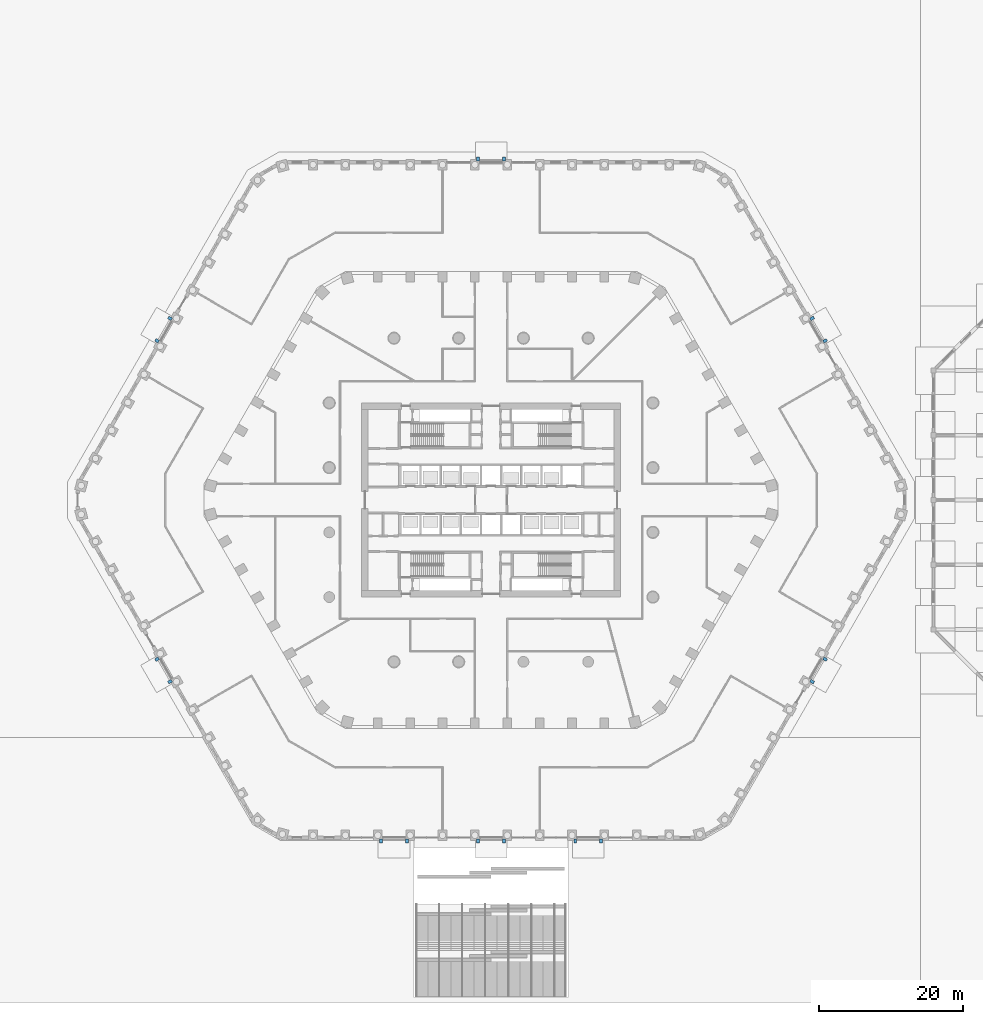
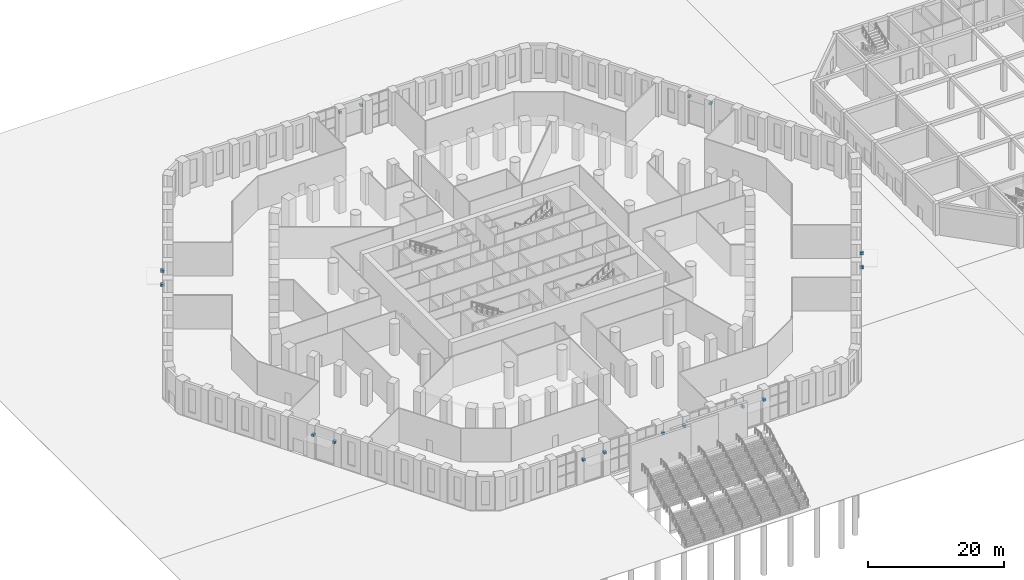
# One storey, part 31 of 44: 16 discrete accessories.
"""IFC4 building model written with IfcOpenShell, lengths in metres."""

import ifcopenshell
import ifcopenshell.guid

model = None  # the IFC model being written
_history = None  # IfcOwnerHistory: only IFC2X3 demands one
_inside = {}  # id of a spatial element -> (the spatial element, [elements in it])
_under = {}  # id of a project, library or spatial element -> (it, [spatial elements below it])
_declared = {}  # id of a project -> (the project, [libraries it declares])
_typed = {}  # id of a type object -> (the type object, [elements of that type])
_made_of = {}  # id of a material, layer set ... -> (it, [elements and type objects made of it])


def new_model(schema):
    """Start an empty IFC model of exactly this schema.

    Asked for "IFC4X3", IfcOpenShell would pick the latest addendum, in which some entities
    have other attributes; the version numbers below select the first issue.
    IFC2X3 requires an IfcOwnerHistory on every rooted entity: one is made here for all.
    """
    global model, _history
    if schema == "IFC4X3":
        model = ifcopenshell.file(schema_version=(4, 3, 0, 0))
    else:
        model = ifcopenshell.file(schema=schema)
    _inside.clear()
    _under.clear()
    _declared.clear()
    _typed.clear()
    _made_of.clear()
    _history = None
    if model.schema == "IFC2X3":
        org = make("IfcOrganization", Name="unknown")
        user = make(
            "IfcPersonAndOrganization",
            ThePerson=make("IfcPerson", FamilyName="unknown"),
            TheOrganization=org,
        )
        app = make(
            "IfcApplication",
            ApplicationDeveloper=org,
            Version="unknown",
            ApplicationFullName="unknown",
            ApplicationIdentifier="unknown",
        )
        _history = make(
            "IfcOwnerHistory",
            OwningUser=user,
            OwningApplication=app,
            ChangeAction="ADDED",
            CreationDate=0,
        )
    return model


def make(cls, **values):
    """One entity of the class cls with the attributes given. An attribute that is None is left unset."""
    return model.create_entity(
        cls, **{name: value for name, value in values.items() if value is not None}
    )


def rooted(cls, **values):
    """An entity with a GlobalId (a new one), such as an element, a storey or a relation."""
    return make(cls, GlobalId=ifcopenshell.guid.new(), OwnerHistory=_history, **values)


def si_unit(unit_type, name, prefix=None):
    """IfcSIUnit, for example si_unit("LENGTHUNIT", "METRE", prefix="MILLI")."""
    return make("IfcSIUnit", UnitType=unit_type, Prefix=prefix, Name=name)


def assignment(units):
    """IfcUnitAssignment: the units of a project."""
    return None if units is None else make("IfcUnitAssignment", Units=units)


def point(xyz):
    """IfcCartesianPoint."""
    return None if xyz is None else make("IfcCartesianPoint", Coordinates=xyz)


def direction(xyz):
    """IfcDirection."""
    return None if xyz is None else make("IfcDirection", DirectionRatios=xyz)


def frame(location, z_axis=None, x_axis=None):
    """IfcAxis2Placement3D, a coordinate frame: its origin and axes. An axis left out is left unset."""
    return make(
        "IfcAxis2Placement3D",
        Location=point(location),
        Axis=direction(z_axis),
        RefDirection=direction(x_axis),
    )


def frame_2d(location, x_axis=None):
    """IfcAxis2Placement2D, a coordinate frame in the plane: its origin and x axis."""
    return make(
        "IfcAxis2Placement2D", Location=point(location), RefDirection=direction(x_axis)
    )


def origin():
    """The frame at (0, 0, 0) with its axes left unset."""
    return frame((0.0, 0.0, 0.0))


def origin_2d():
    """The frame at (0, 0) in the plane with its x axis left unset."""
    return frame_2d((0.0, 0.0))


def place(relative_to, where):
    """IfcLocalPlacement: puts the frame where relative to a parent placement (None: the world)."""
    return make(
        "IfcLocalPlacement", PlacementRelTo=relative_to, RelativePlacement=where
    )


def context(
    kind, dimensions, precision=None, world=None, true_north=None, identifier=None
):
    """IfcGeometricRepresentationContext, for example the 3D "Model" context."""
    return make(
        "IfcGeometricRepresentationContext",
        ContextIdentifier=identifier,
        ContextType=kind,
        CoordinateSpaceDimension=dimensions,
        Precision=precision,
        WorldCoordinateSystem=world,
        TrueNorth=true_north,
    )


def subcontext(parent, identifier, kind, view, scale=None):
    """IfcGeometricRepresentationSubContext, for example "Body" below "Model"."""
    return make(
        "IfcGeometricRepresentationSubContext",
        ContextIdentifier=identifier,
        ContextType=kind,
        ParentContext=parent,
        TargetScale=scale,
        TargetView=view,
    )


def project(units=None, contexts=None):
    """IfcProject with its units and contexts."""
    return rooted(
        "IfcProject",
        Name="project",
        RepresentationContexts=contexts,
        UnitsInContext=assignment(units),
    )


def spatial(cls, under=None, at=None, **own):
    """A site, building, storey or space (cls), placed at a placement, below another one or the project."""
    s = rooted(cls, ObjectPlacement=at, **own)
    if under is not None:
        _under.setdefault(under.id(), (under, []))[1].append(s)
    return s


def profile(cls, at=None, kind="AREA", **sizes):
    """A parametric profile (cls). Its sizes go by their IFC names, for example OverallWidth=200.0."""
    return make(cls, ProfileType=kind, Position=at, **sizes)


def rectangle(**sizes):
    """IfcRectangleProfileDef."""
    return profile("IfcRectangleProfileDef", **sizes)


def extrude(swept, where, along, depth):
    """IfcExtrudedAreaSolid: the profile swept, set in the frame where, extruded along a direction by depth."""
    return make(
        "IfcExtrudedAreaSolid",
        SweptArea=swept,
        Position=where,
        ExtrudedDirection=direction(along),
        Depth=depth,
    )


def shape(context_of_items, identifier, shape_type, items):
    """IfcShapeRepresentation: the items that make up one representation, for example the "Body"."""
    return make(
        "IfcShapeRepresentation",
        ContextOfItems=context_of_items,
        RepresentationIdentifier=identifier,
        RepresentationType=shape_type,
        Items=items,
    )


def material(Name=None, Category=None):
    """IfcMaterial."""
    return make("IfcMaterial", Name=Name, Category=Category)


def material_profile(
    of_material, cross_section, Name=None, Category=None, Priority=None
):
    """IfcMaterialProfile: a cross section and its material."""
    return make(
        "IfcMaterialProfile",
        Name=Name,
        Material=of_material,
        Profile=cross_section,
        Priority=Priority,
        Category=Category,
    )


def profile_set(profiles, Name=None, composite=None):
    """IfcMaterialProfileSet."""
    return make(
        "IfcMaterialProfileSet",
        Name=Name,
        MaterialProfiles=profiles,
        CompositeProfile=composite,
    )


def made_of(thing, what):
    """Note that an element or type object is made of a material, layer set ...; save() writes the relation."""
    if what is not None:
        _made_of.setdefault(what.id(), (what, []))[1].append(thing)
    return thing


def type_object(cls, material=None, **own):
    """A type object (cls), such as IfcWallType, which elements share."""
    return made_of(rooted(cls, **own), material)


def element(
    cls,
    number,
    at=None,
    inside=None,
    cuts=None,
    type_object=None,
    material=None,
    context=None,
    identifier="Body",
    shape_type=None,
    held_by="IfcProductDefinitionShape",
    body=None,
    shapes=None,
    **own,
):
    """One element of the class cls, such as IfcWall. Its Tag is "e" and its number.

    at: its placement. inside: the storey or other place that contains it. cuts: it is an
    opening in that element (IfcRelVoidsElement). A single representation is given by context,
    identifier, shape_type and body (its items); several are given by shapes. held_by: the class
    of the entity that holds the representations. save() writes the other relations.
    """
    e = rooted(cls, Tag="e%d" % number, ObjectPlacement=at, **own)
    if body is not None:
        shapes = [shape(context, identifier, shape_type, body)]
    if shapes is not None:
        e.Representation = make(held_by, Representations=shapes)
    if inside is not None:
        _inside.setdefault(inside.id(), (inside, []))[1].append(e)
    if cuts is not None:
        rooted(
            "IfcRelVoidsElement", RelatingBuildingElement=cuts, RelatedOpeningElement=e
        )
    if type_object is not None:
        _typed.setdefault(type_object.id(), (type_object, []))[1].append(e)
    return made_of(e, material)


def aggregate(whole, parts):
    """IfcRelAggregates: a whole, such as a stair, and the parts it consists of."""
    return rooted("IfcRelAggregates", RelatingObject=whole, RelatedObjects=parts)


def save(model, path):
    """Write the relations noted so far, then the file.

    IfcRelAggregates (storeys below a building ...), IfcRelContainedInSpatialStructure (elements
    in a storey), IfcRelDefinesByType, IfcRelAssociatesMaterial and IfcRelDeclares: one each for
    every whole, place, type object, material and project.
    """
    for whole, parts in _under.values():
        aggregate(whole, parts)
    for where, things in _inside.values():
        rooted(
            "IfcRelContainedInSpatialStructure",
            RelatedElements=things,
            RelatingStructure=where,
        )
    for kind, things in _typed.values():
        rooted("IfcRelDefinesByType", RelatedObjects=things, RelatingType=kind)
    for what, things in _made_of.values():
        rooted("IfcRelAssociatesMaterial", RelatedObjects=things, RelatingMaterial=what)
    for by, libraries in _declared.values():
        rooted("IfcRelDeclares", RelatingContext=by, RelatedDefinitions=libraries)
    model.write(path)


model = new_model("IFC4")

# Units and contexts
model_context = context("Model", 3, precision=1e-05, world=origin(), true_north=direction((0.0, 1.0)))
body_context = subcontext(model_context, "Body", "Model", "MODEL_VIEW")
ifc_project = project(units=[si_unit("LENGTHUNIT", "METRE"), si_unit("AREAUNIT", "SQUARE_METRE"), si_unit("VOLUMEUNIT", "CUBIC_METRE"), si_unit("PLANEANGLEUNIT", "RADIAN"), si_unit("MASSUNIT", "GRAM", prefix="KILO")], contexts=[model_context])

# Site, building, storey
site_placement = place(None, origin())
site = spatial("IfcSite", under=ifc_project, at=site_placement, CompositionType="ELEMENT")
building_placement = place(site_placement, origin())
building = spatial("IfcBuilding", under=site, at=building_placement, Name="Dhurran Vertical Campus", CompositionType="ELEMENT")
storey_placement = place(building_placement, origin())
storey = spatial("IfcBuildingStorey", under=building, at=storey_placement, Name="L00", CompositionType="ELEMENT", Elevation=0.0)

# Discrete accessories
ifc_material = material(Name="Steel S355J2", Category="steel")
ifc_material_profile = material_profile(ifc_material, rectangle(XDim=0.39990234375, YDim=0.39990234375, at=origin_2d()), Name="Steel lattice bracket 400")
ifc_profile_set = profile_set([ifc_material_profile], Name="Steel S355J2")
discrete_accessory_type = type_object("IfcDiscreteAccessoryType", Name="Steel lattice bracket 400", PredefinedType="BRACKET", material=ifc_profile_set)
for number, where, z_axis, x_axis, name in (
    (1, (-15.300048828125, -47.118408203125, 4.39990234375), (0.0, -1.0, 0.0), (1.0, 0.0, 0.0), "BR1 canopy 01.01"),
    (2, (-11.699951171875, -47.118408203125, 4.39990234375), (0.0, -1.0, 0.0), (1.0, 0.0, 0.0), "BR1 canopy 01.02"),
    (3, (-1.800048828125, -47.118408203125, 4.39990234375), (0.0, -1.0, 0.0), (1.0, 0.0, 0.0), "BR1 canopy 02.03"),
    (4, (1.800048828125, -47.118408203125, 4.39990234375), (0.0, -1.0, 0.0), (1.0, 0.0, 0.0), "BR1 canopy 02.04"),
    (5, (11.699951171875, -47.118408203125, 4.39990234375), (0.0, -1.0, 0.0), (1.0, 0.0, 0.0), "BR1 canopy 03.05"),
    (6, (15.300048828125, -47.118408203125, 4.39990234375), (0.0, -1.0, 0.0), (1.0, 0.0, 0.0), "BR1 canopy 03.06"),
):
    element("IfcDiscreteAccessory", number, at=place(storey_placement, frame(where, z_axis=z_axis, x_axis=x_axis)), inside=storey, type_object=discrete_accessory_type, Name=name, PredefinedType="BRACKET", context=body_context, shape_type="SweptSolid", body=[
        extrude(rectangle(XDim=0.39990234375, YDim=0.39990234375, at=origin_2d()), origin(), (0.0, 0.0, 1.0), 0.5498046875),
    ])
for number, where, z_axis, x_axis, name in (
    (7, (44.405517578125, -25.117919921875, 4.39990234375), (0.865912065108, -0.500196256984, 0.0), (0.500196256984, 0.865912065108, 0.0), "BR1 canopy 04.07"),
    (8, (46.20556640625, -22.000244140625, 4.39990234375), (0.865912065108, -0.500196256984, 0.0), (0.500196256984, 0.865912065108, 0.0), "BR1 canopy 04.08"),
    (9, (46.20556640625, 22.000244140625, 4.39990234375), (0.865912065108, 0.500196256984, 0.0), (-0.500196256984, 0.865912065108, 0.0), "BR1 canopy 05.09"),
    (10, (44.405517578125, 25.117919921875, 4.39990234375), (0.865912065108, 0.500196256984, 0.0), (-0.500196256984, 0.865912065108, 0.0), "BR1 canopy 05.10"),
):
    element("IfcDiscreteAccessory", number, at=place(storey_placement, frame(where, z_axis=z_axis, x_axis=x_axis)), inside=storey, type_object=discrete_accessory_type, Name=name, PredefinedType="BRACKET", context=body_context, shape_type="SweptSolid", body=[
        extrude(rectangle(XDim=0.39990234375, YDim=0.39990234375, at=origin_2d()), origin(), (0.0, 0.0, 1.0), 0.550048828125),
    ])
for number, where, z_axis, x_axis, name in (
    (11, (1.800048828125, 47.118408203125, 4.39990234375), (0.0, 1.0, 0.0), (-1.0, 0.0, 0.0), "BR1 canopy 06.11"),
    (12, (-1.800048828125, 47.118408203125, 4.39990234375), (0.0, 1.0, 0.0), (-1.0, 0.0, 0.0), "BR1 canopy 06.12"),
):
    element("IfcDiscreteAccessory", number, at=place(storey_placement, frame(where, z_axis=z_axis, x_axis=x_axis)), inside=storey, type_object=discrete_accessory_type, Name=name, PredefinedType="BRACKET", context=body_context, shape_type="SweptSolid", body=[
        extrude(rectangle(XDim=0.39990234375, YDim=0.39990234375, at=origin_2d()), origin(), (0.0, 0.0, 1.0), 0.5498046875),
    ])
for number, where, z_axis, x_axis, name in (
    (13, (-44.405517578125, 25.117919921875, 4.39990234375), (-0.865912065108, 0.500196256984, 0.0), (-0.500196256984, -0.865912065108, 0.0), "BR1 canopy 07.13"),
    (14, (-46.20556640625, 22.000244140625, 4.39990234375), (-0.865912065108, 0.500196256984, 0.0), (-0.500196256984, -0.865912065108, 0.0), "BR1 canopy 07.14"),
    (15, (-46.20556640625, -22.000244140625, 4.39990234375), (-0.865912065108, -0.500196256984, 0.0), (0.500196256984, -0.865912065108, 0.0), "BR1 canopy 08.15"),
    (16, (-44.405517578125, -25.117919921875, 4.39990234375), (-0.865912065108, -0.500196256984, 0.0), (0.500196256984, -0.865912065108, 0.0), "BR1 canopy 08.16"),
):
    element("IfcDiscreteAccessory", number, at=place(storey_placement, frame(where, z_axis=z_axis, x_axis=x_axis)), inside=storey, type_object=discrete_accessory_type, Name=name, PredefinedType="BRACKET", context=body_context, shape_type="SweptSolid", body=[
        extrude(rectangle(XDim=0.39990234375, YDim=0.39990234375, at=origin_2d()), origin(), (0.0, 0.0, 1.0), 0.550048828125),
    ])

save(model, "model.ifc")
